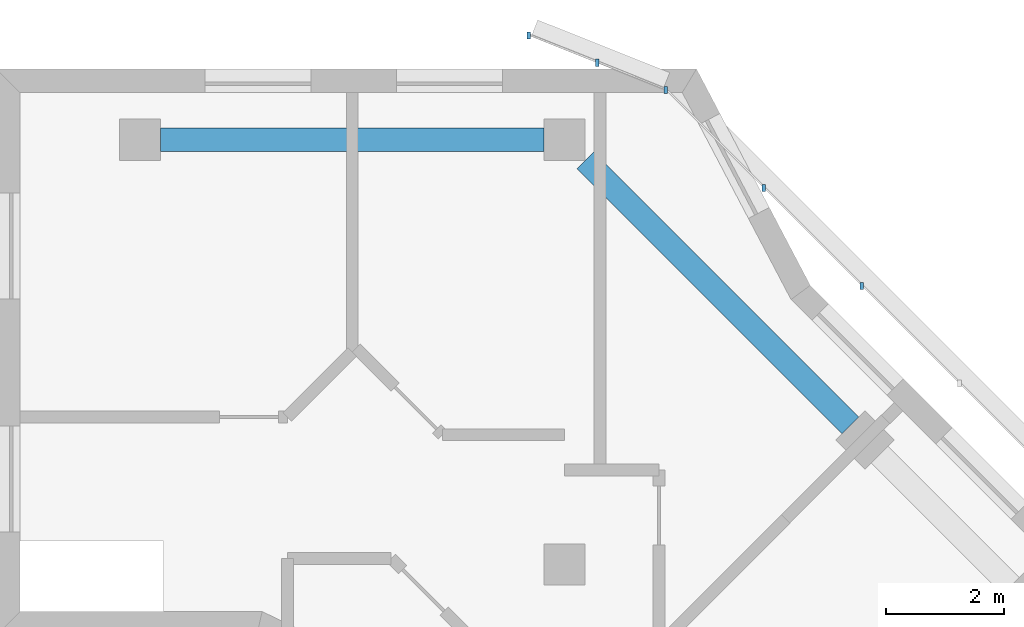
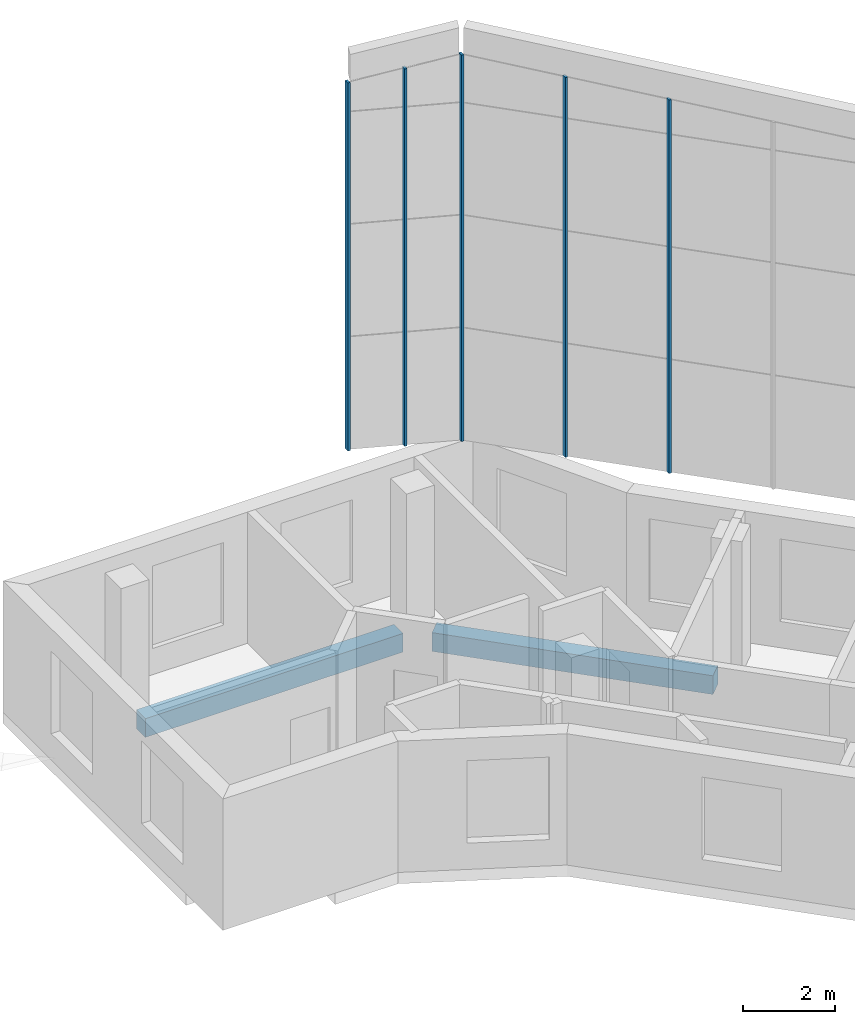
# One storey, part 4 of 9: 5 members, 2 beams, 2 elements without a shape of their own.
"""IFC4 building model written with IfcOpenShell, lengths in metres."""

from ifc_helpers import new_model, si_unit, direction, frame, origin, origin_2d, place, context, subcontext, project, spatial, rectangle, extrude, material, material_profile, profile_set, type_object, element, aggregate, save


model = new_model("IFC4")

# Units and contexts
model_context = context("Model", 3, precision=1e-05, world=origin(), true_north=direction((0.0, 1.0)))
body_context = subcontext(model_context, "Body", "Model", "MODEL_VIEW")
ifc_project = project(units=[si_unit("LENGTHUNIT", "METRE"), si_unit("AREAUNIT", "SQUARE_METRE"), si_unit("VOLUMEUNIT", "CUBIC_METRE"), si_unit("PLANEANGLEUNIT", "RADIAN"), si_unit("MASSUNIT", "GRAM", prefix="KILO")], contexts=[model_context])

# Site, building, storey
site_placement = place(None, origin())
site = spatial("IfcSite", under=ifc_project, at=site_placement, CompositionType="ELEMENT")
building_placement = place(site_placement, origin())
building = spatial("IfcBuilding", under=site, at=building_placement, Name="Windrow Commons", CompositionType="ELEMENT")
storey_placement = place(building_placement, frame((0.0, 0.0, 309.6)))
storey = spatial("IfcBuildingStorey", under=building, at=storey_placement, Name="L84", CompositionType="ELEMENT", Elevation=309.6)

# Curtain wall, members
ifc_material_1 = material(Name="Laminated glass in anodised aluminium frame", Category="aluminium")
curtain_wall_type = type_object("IfcCurtainWallType", Name="Curtain wall crown terrace screen", PredefinedType="USERDEFINED", material=ifc_material_1)
placement = place(storey_placement, origin())
curtain_wall_1 = element("IfcCurtainWall", 1, at=placement, inside=storey, type_object=curtain_wall_type, Name="Glazed crown screen L84", ObjectType="STICK", PredefinedType="USERDEFINED")
ifc_material_2 = material(Name="Anodised aluminium", Category="aluminium")
ifc_material_profile_1 = material_profile(ifc_material_2, rectangle(XDim=0.06, YDim=0.12, at=origin_2d()))
ifc_profile_set_1 = profile_set([ifc_material_profile_1], Name="Anodised aluminium")
member_type = type_object("IfcMemberType", Name="Crown screen mullion 60x120", PredefinedType="MULLION", material=ifc_profile_set_1)
member_1_placement = place(storey_placement, frame((78.589, 73.7704, 3.5), z_axis=(0.0, 0.0, 1.0), x_axis=(1.0, 0.0, 0.0)))
member_1 = element("IfcMember", 2, at=member_1_placement, type_object=member_type, Name="Crown screen mullion L84", PredefinedType="MULLION", context=body_context, shape_type="SweptSolid", body=[
    extrude(rectangle(XDim=0.06, YDim=0.12, at=origin_2d()), origin(), (0.0, 0.0, 1.0), 9.8144),
])
member_2_placement = place(storey_placement, frame((79.7539, 73.3057, 3.5), z_axis=(0.0, 0.0, 1.0), x_axis=(1.0, 0.0, 0.0)))
member_2 = element("IfcMember", 3, at=member_2_placement, type_object=member_type, Name="Crown screen mullion L84", PredefinedType="MULLION", context=body_context, shape_type="SweptSolid", body=[
    extrude(rectangle(XDim=0.06, YDim=0.12, at=origin_2d()), origin(), (0.0, 0.0, 1.0), 10.0605),
])
member_3_placement = place(storey_placement, frame((80.9188, 72.841, 3.5), z_axis=(0.0, 0.0, 1.0), x_axis=(1.0, 0.0, 0.0)))
member_3 = element("IfcMember", 4, at=member_3_placement, type_object=member_type, Name="Crown screen mullion L84", PredefinedType="MULLION", context=body_context, shape_type="SweptSolid", body=[
    extrude(rectangle(XDim=0.06, YDim=0.12, at=origin_2d()), origin(), (0.0, 0.0, 1.0), 10.3065),
])
aggregate(curtain_wall_1, [member_1, member_2, member_3])

curtain_wall_2 = element("IfcCurtainWall", 5, at=placement, inside=storey, type_object=curtain_wall_type, Name="Glazed crown screen L84", ObjectType="STICK", PredefinedType="USERDEFINED")
member_4_placement = place(storey_placement, frame((82.5779, 71.1819, 3.5), z_axis=(0.0, 0.0, 1.0), x_axis=(1.0, 0.0, 0.0)))
member_4 = element("IfcMember", 6, at=member_4_placement, type_object=member_type, Name="Crown screen mullion L84", PredefinedType="MULLION", context=body_context, shape_type="SweptSolid", body=[
    extrude(rectangle(XDim=0.06, YDim=0.12, at=origin_2d()), origin(), (0.0, 0.0, 1.0), 10.1318),
])
member_5_placement = place(storey_placement, frame((84.237, 69.5228, 3.5), z_axis=(0.0, 0.0, 1.0), x_axis=(1.0, 0.0, 0.0)))
member_5 = element("IfcMember", 7, at=member_5_placement, type_object=member_type, Name="Crown screen mullion L84", PredefinedType="MULLION", context=body_context, shape_type="SweptSolid", body=[
    extrude(rectangle(XDim=0.06, YDim=0.12, at=origin_2d()), origin(), (0.0, 0.0, 1.0), 9.957),
])
aggregate(curtain_wall_2, [member_4, member_5])

# Beams
ifc_material_3 = material(Name="Concrete C40/50", Category="concrete")
ifc_material_profile_2 = material_profile(ifc_material_3, rectangle(XDim=0.4, YDim=0.5, at=origin_2d()))
ifc_profile_set_2 = profile_set([ifc_material_profile_2], Name="Concrete C40/50")
beam_type = type_object("IfcBeamType", Name="RC EDGE BEAM 400x500 C40/50", PredefinedType="SPANDREL", material=ifc_profile_set_2)
beam_1_placement = place(storey_placement, frame((72.35, 72.0, -0.55), z_axis=(1.0, 0.0, 0.0), x_axis=(0.0, 1.0, 0.0)))
element("IfcBeam", 8, at=beam_1_placement, inside=storey, type_object=beam_type, Name="Edge beam L84 001", PredefinedType="SPANDREL", context=body_context, shape_type="SweptSolid", body=[
    extrude(rectangle(XDim=0.4, YDim=0.5, at=origin_2d()), origin(), (0.0, 0.0, 1.0), 6.5),
])
beam_2_placement = place(storey_placement, frame((79.55, 71.65, -0.55), z_axis=(0.7071067812, -0.7071067812, 0.0), x_axis=(0.7071067812, 0.7071067812, 0.0)))
element("IfcBeam", 9, at=beam_2_placement, inside=storey, type_object=beam_type, Name="Edge beam L84 002", PredefinedType="SPANDREL", context=body_context, shape_type="SweptSolid", body=[
    extrude(rectangle(XDim=0.4, YDim=0.5, at=origin_2d()), origin(), (0.0, 0.0, 1.0), 6.3551),
])

save(model, "model.ifc")
